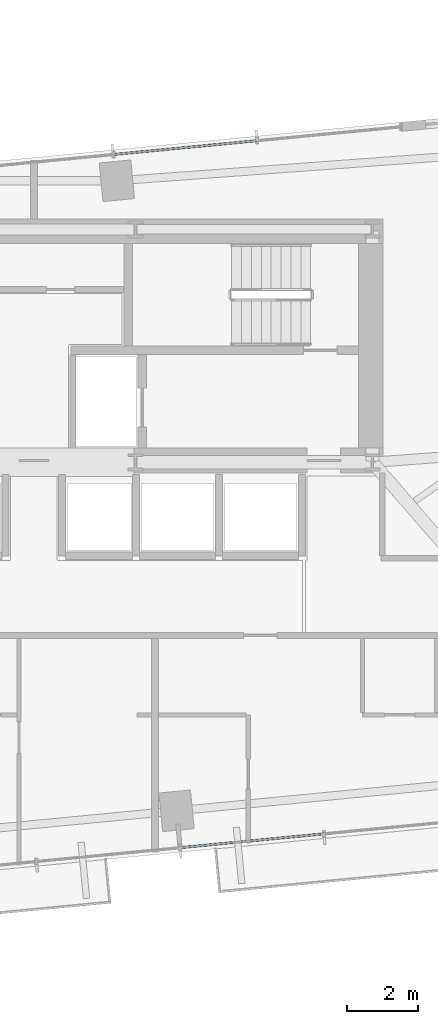
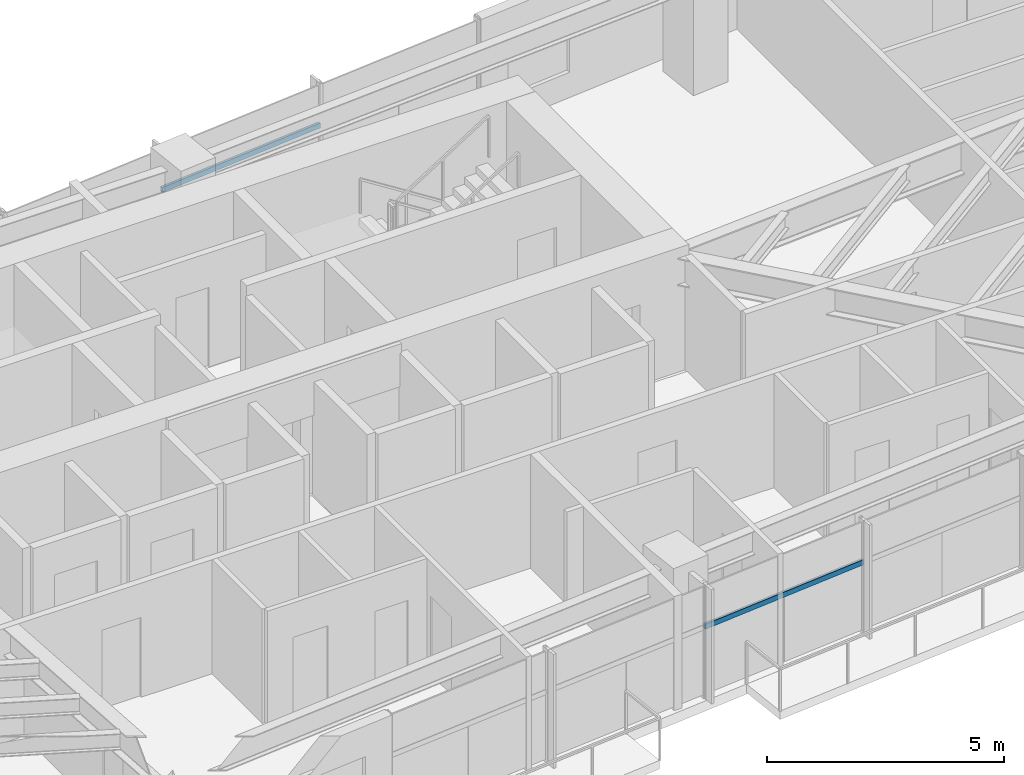
# One storey, part 11 of 27: 2 members, 2 elements without a shape of their own.
"""IFC4 building model written with IfcOpenShell, lengths in metres."""

import ifcopenshell
import ifcopenshell.guid

model = None  # the IFC model being written
_history = None  # IfcOwnerHistory: only IFC2X3 demands one
_inside = {}  # id of a spatial element -> (the spatial element, [elements in it])
_under = {}  # id of a project, library or spatial element -> (it, [spatial elements below it])
_declared = {}  # id of a project -> (the project, [libraries it declares])
_typed = {}  # id of a type object -> (the type object, [elements of that type])
_made_of = {}  # id of a material, layer set ... -> (it, [elements and type objects made of it])


def new_model(schema):
    """Start an empty IFC model of exactly this schema.

    Asked for "IFC4X3", IfcOpenShell would pick the latest addendum, in which some entities
    have other attributes; the version numbers below select the first issue.
    IFC2X3 requires an IfcOwnerHistory on every rooted entity: one is made here for all.
    """
    global model, _history
    if schema == "IFC4X3":
        model = ifcopenshell.file(schema_version=(4, 3, 0, 0))
    else:
        model = ifcopenshell.file(schema=schema)
    _inside.clear()
    _under.clear()
    _declared.clear()
    _typed.clear()
    _made_of.clear()
    _history = None
    if model.schema == "IFC2X3":
        org = make("IfcOrganization", Name="unknown")
        user = make(
            "IfcPersonAndOrganization",
            ThePerson=make("IfcPerson", FamilyName="unknown"),
            TheOrganization=org,
        )
        app = make(
            "IfcApplication",
            ApplicationDeveloper=org,
            Version="unknown",
            ApplicationFullName="unknown",
            ApplicationIdentifier="unknown",
        )
        _history = make(
            "IfcOwnerHistory",
            OwningUser=user,
            OwningApplication=app,
            ChangeAction="ADDED",
            CreationDate=0,
        )
    return model


def make(cls, **values):
    """One entity of the class cls with the attributes given. An attribute that is None is left unset."""
    return model.create_entity(
        cls, **{name: value for name, value in values.items() if value is not None}
    )


def rooted(cls, **values):
    """An entity with a GlobalId (a new one), such as an element, a storey or a relation."""
    return make(cls, GlobalId=ifcopenshell.guid.new(), OwnerHistory=_history, **values)


def si_unit(unit_type, name, prefix=None):
    """IfcSIUnit, for example si_unit("LENGTHUNIT", "METRE", prefix="MILLI")."""
    return make("IfcSIUnit", UnitType=unit_type, Prefix=prefix, Name=name)


def assignment(units):
    """IfcUnitAssignment: the units of a project."""
    return None if units is None else make("IfcUnitAssignment", Units=units)


def point(xyz):
    """IfcCartesianPoint."""
    return None if xyz is None else make("IfcCartesianPoint", Coordinates=xyz)


def direction(xyz):
    """IfcDirection."""
    return None if xyz is None else make("IfcDirection", DirectionRatios=xyz)


def frame(location, z_axis=None, x_axis=None):
    """IfcAxis2Placement3D, a coordinate frame: its origin and axes. An axis left out is left unset."""
    return make(
        "IfcAxis2Placement3D",
        Location=point(location),
        Axis=direction(z_axis),
        RefDirection=direction(x_axis),
    )


def frame_2d(location, x_axis=None):
    """IfcAxis2Placement2D, a coordinate frame in the plane: its origin and x axis."""
    return make(
        "IfcAxis2Placement2D", Location=point(location), RefDirection=direction(x_axis)
    )


def origin():
    """The frame at (0, 0, 0) with its axes left unset."""
    return frame((0.0, 0.0, 0.0))


def origin_2d():
    """The frame at (0, 0) in the plane with its x axis left unset."""
    return frame_2d((0.0, 0.0))


def place(relative_to, where):
    """IfcLocalPlacement: puts the frame where relative to a parent placement (None: the world)."""
    return make(
        "IfcLocalPlacement", PlacementRelTo=relative_to, RelativePlacement=where
    )


def context(
    kind, dimensions, precision=None, world=None, true_north=None, identifier=None
):
    """IfcGeometricRepresentationContext, for example the 3D "Model" context."""
    return make(
        "IfcGeometricRepresentationContext",
        ContextIdentifier=identifier,
        ContextType=kind,
        CoordinateSpaceDimension=dimensions,
        Precision=precision,
        WorldCoordinateSystem=world,
        TrueNorth=true_north,
    )


def subcontext(parent, identifier, kind, view, scale=None):
    """IfcGeometricRepresentationSubContext, for example "Body" below "Model"."""
    return make(
        "IfcGeometricRepresentationSubContext",
        ContextIdentifier=identifier,
        ContextType=kind,
        ParentContext=parent,
        TargetScale=scale,
        TargetView=view,
    )


def project(units=None, contexts=None):
    """IfcProject with its units and contexts."""
    return rooted(
        "IfcProject",
        Name="project",
        RepresentationContexts=contexts,
        UnitsInContext=assignment(units),
    )


def spatial(cls, under=None, at=None, **own):
    """A site, building, storey or space (cls), placed at a placement, below another one or the project."""
    s = rooted(cls, ObjectPlacement=at, **own)
    if under is not None:
        _under.setdefault(under.id(), (under, []))[1].append(s)
    return s


def profile(cls, at=None, kind="AREA", **sizes):
    """A parametric profile (cls). Its sizes go by their IFC names, for example OverallWidth=200.0."""
    return make(cls, ProfileType=kind, Position=at, **sizes)


def hollow_rectangle(**sizes):
    """IfcRectangleHollowProfileDef."""
    return profile("IfcRectangleHollowProfileDef", **sizes)


def extrude(swept, where, along, depth):
    """IfcExtrudedAreaSolid: the profile swept, set in the frame where, extruded along a direction by depth."""
    return make(
        "IfcExtrudedAreaSolid",
        SweptArea=swept,
        Position=where,
        ExtrudedDirection=direction(along),
        Depth=depth,
    )


def shape(context_of_items, identifier, shape_type, items):
    """IfcShapeRepresentation: the items that make up one representation, for example the "Body"."""
    return make(
        "IfcShapeRepresentation",
        ContextOfItems=context_of_items,
        RepresentationIdentifier=identifier,
        RepresentationType=shape_type,
        Items=items,
    )


def source(mapping_origin, context_of_items, identifier, shape_type, items):
    """IfcRepresentationMap: a shape defined once, which mapped items show again and again."""
    return make(
        "IfcRepresentationMap",
        MappingOrigin=mapping_origin,
        MappedRepresentation=shape(context_of_items, identifier, shape_type, items),
    )


def transform(
    local_origin,
    x_axis=None,
    y_axis=None,
    z_axis=None,
    scale=None,
    scale2=None,
    scale3=None,
    uniform=True,
):
    """IfcCartesianTransformationOperator3D, or its non-uniform kind. x_axis, y_axis, z_axis: its Axis1, 2, 3."""
    if uniform:
        return make(
            "IfcCartesianTransformationOperator3D",
            Axis1=direction(x_axis),
            Axis2=direction(y_axis),
            LocalOrigin=point(local_origin),
            Scale=scale,
            Axis3=direction(z_axis),
        )
    return make(
        "IfcCartesianTransformationOperator3DnonUniform",
        Axis1=direction(x_axis),
        Axis2=direction(y_axis),
        LocalOrigin=point(local_origin),
        Scale=scale,
        Axis3=direction(z_axis),
        Scale2=scale2,
        Scale3=scale3,
    )


def mapped(mapping_source, mapping_target):
    """IfcMappedItem: shows the shape of a source again, moved by a transform."""
    return make(
        "IfcMappedItem", MappingSource=mapping_source, MappingTarget=mapping_target
    )


def material(Name=None, Category=None):
    """IfcMaterial."""
    return make("IfcMaterial", Name=Name, Category=Category)


def material_profile(
    of_material, cross_section, Name=None, Category=None, Priority=None
):
    """IfcMaterialProfile: a cross section and its material."""
    return make(
        "IfcMaterialProfile",
        Name=Name,
        Material=of_material,
        Profile=cross_section,
        Priority=Priority,
        Category=Category,
    )


def profile_set(profiles, Name=None, composite=None):
    """IfcMaterialProfileSet."""
    return make(
        "IfcMaterialProfileSet",
        Name=Name,
        MaterialProfiles=profiles,
        CompositeProfile=composite,
    )


def made_of(thing, what):
    """Note that an element or type object is made of a material, layer set ...; save() writes the relation."""
    if what is not None:
        _made_of.setdefault(what.id(), (what, []))[1].append(thing)
    return thing


def type_object(cls, material=None, **own):
    """A type object (cls), such as IfcWallType, which elements share."""
    return made_of(rooted(cls, **own), material)


def type_shapes(of_type, sources):
    """Give a type object the sources (RepresentationMaps) that its elements show as mapped items."""
    of_type.RepresentationMaps = sources


def element(
    cls,
    number,
    at=None,
    inside=None,
    cuts=None,
    type_object=None,
    material=None,
    context=None,
    identifier="Body",
    shape_type=None,
    held_by="IfcProductDefinitionShape",
    body=None,
    shapes=None,
    **own,
):
    """One element of the class cls, such as IfcWall. Its Tag is "e" and its number.

    at: its placement. inside: the storey or other place that contains it. cuts: it is an
    opening in that element (IfcRelVoidsElement). A single representation is given by context,
    identifier, shape_type and body (its items); several are given by shapes. held_by: the class
    of the entity that holds the representations. save() writes the other relations.
    """
    e = rooted(cls, Tag="e%d" % number, ObjectPlacement=at, **own)
    if body is not None:
        shapes = [shape(context, identifier, shape_type, body)]
    if shapes is not None:
        e.Representation = make(held_by, Representations=shapes)
    if inside is not None:
        _inside.setdefault(inside.id(), (inside, []))[1].append(e)
    if cuts is not None:
        rooted(
            "IfcRelVoidsElement", RelatingBuildingElement=cuts, RelatedOpeningElement=e
        )
    if type_object is not None:
        _typed.setdefault(type_object.id(), (type_object, []))[1].append(e)
    return made_of(e, material)


def aggregate(whole, parts):
    """IfcRelAggregates: a whole, such as a stair, and the parts it consists of."""
    return rooted("IfcRelAggregates", RelatingObject=whole, RelatedObjects=parts)


def save(model, path):
    """Write the relations noted so far, then the file.

    IfcRelAggregates (storeys below a building ...), IfcRelContainedInSpatialStructure (elements
    in a storey), IfcRelDefinesByType, IfcRelAssociatesMaterial and IfcRelDeclares: one each for
    every whole, place, type object, material and project.
    """
    for whole, parts in _under.values():
        aggregate(whole, parts)
    for where, things in _inside.values():
        rooted(
            "IfcRelContainedInSpatialStructure",
            RelatedElements=things,
            RelatingStructure=where,
        )
    for kind, things in _typed.values():
        rooted("IfcRelDefinesByType", RelatedObjects=things, RelatingType=kind)
    for what, things in _made_of.values():
        rooted("IfcRelAssociatesMaterial", RelatedObjects=things, RelatingMaterial=what)
    for by, libraries in _declared.values():
        rooted("IfcRelDeclares", RelatingContext=by, RelatedDefinitions=libraries)
    model.write(path)


model = new_model("IFC4")

# Units and contexts
model_context = context("Model", 3, precision=1e-05, world=origin(), true_north=direction((0.0, 1.0)))
body_context = subcontext(model_context, "Body", "Model", "MODEL_VIEW")
ifc_project = project(units=[si_unit("LENGTHUNIT", "METRE"), si_unit("AREAUNIT", "SQUARE_METRE"), si_unit("VOLUMEUNIT", "CUBIC_METRE"), si_unit("PLANEANGLEUNIT", "RADIAN"), si_unit("MASSUNIT", "GRAM", prefix="KILO")], contexts=[model_context])

# Site, building, storey
site_placement = place(None, origin())
site = spatial("IfcSite", under=ifc_project, at=site_placement, CompositionType="ELEMENT")
building_placement = place(site_placement, origin())
building = spatial("IfcBuilding", under=site, at=building_placement, Name="Astriad Promenade Condominiums", CompositionType="ELEMENT")
storey_placement = place(building_placement, frame((0.0, 0.0, 90.60009765625)))
storey = spatial("IfcBuildingStorey", under=building, at=storey_placement, Name="L25", CompositionType="ELEMENT", Elevation=90.60009765625)

# Curtain wall, member
ifc_material_1 = material(Name="Anodised aluminium Black Dark Glass Unitised", Category="aluminium")
curtain_wall_type = type_object("IfcCurtainWallType", Name="CW-B2-DARK", PredefinedType="USERDEFINED", material=ifc_material_1)
curtain_wall_1_placement = place(storey_placement, origin())
curtain_wall_1 = element("IfcCurtainWall", 1, at=curtain_wall_1_placement, inside=storey, type_object=curtain_wall_type, Name="CW-L25-N", ObjectType="UNITISED_CURTAIN_WALL", PredefinedType="USERDEFINED")
ifc_material_2 = material(Name="Anodised aluminium 6063-T6 Black", Category="aluminium")
ifc_material_profile = material_profile(ifc_material_2, hollow_rectangle(XDim=0.06494140625, YDim=0.1298828125, WallThickness=0.00390625, at=origin_2d()), Name="ALU-TRN-65X130")
ifc_profile_set = profile_set([ifc_material_profile], Name="Anodised aluminium 6063-T6 Black")
member_type = type_object("IfcMemberType", Name="TRN-ALU-TRN-65X130", PredefinedType="USERDEFINED", material=ifc_profile_set)
shared_shape = source(origin(), body_context, "Body", "SweptSolid", [
    extrude(hollow_rectangle(XDim=0.06494140625, YDim=0.1298828125, WallThickness=0.00390625, at=origin_2d()), origin(), (0.0, 0.0, 1.0), 4.094970703125),
])
type_shapes(member_type, [shared_shape])
member_1_placement = place(storey_placement, frame((38.25390625, 26.12451171875, 1.82275390625), z_axis=(0.995394161585, 0.09586690296, 0.0), x_axis=(-0.09586690296, 0.995394161585, 0.0)))
member_1 = element("IfcMember", 2, at=member_1_placement, type_object=member_type, Name="CW-L25-N-TRN-02-0", ObjectType="TRANSOM", PredefinedType="USERDEFINED", context=body_context, shape_type="MappedRepresentation", body=[
    mapped(shared_shape, transform((0.0, 0.0, 0.0), scale=1.0)),
])
aggregate(curtain_wall_1, [member_1])

curtain_wall_2_placement = place(storey_placement, origin())
curtain_wall_2 = element("IfcCurtainWall", 3, at=curtain_wall_2_placement, inside=storey, type_object=curtain_wall_type, Name="CW-L25-S", ObjectType="UNITISED_CURTAIN_WALL", PredefinedType="USERDEFINED")
member_2_placement = place(storey_placement, frame((44.22216796875, 6.867919921875, 1.82275390625), z_axis=(-0.995394161585, -0.09586690296, 0.0), x_axis=(0.09586690296, -0.995394161585, 0.0)))
member_2 = element("IfcMember", 4, at=member_2_placement, type_object=member_type, Name="CW-L25-S-TRN-01-0", ObjectType="TRANSOM", PredefinedType="USERDEFINED", context=body_context, shape_type="MappedRepresentation", body=[
    mapped(shared_shape, transform((0.0, 0.0, 0.0), scale=1.0)),
])
aggregate(curtain_wall_2, [member_2])

save(model, "model.ifc")
